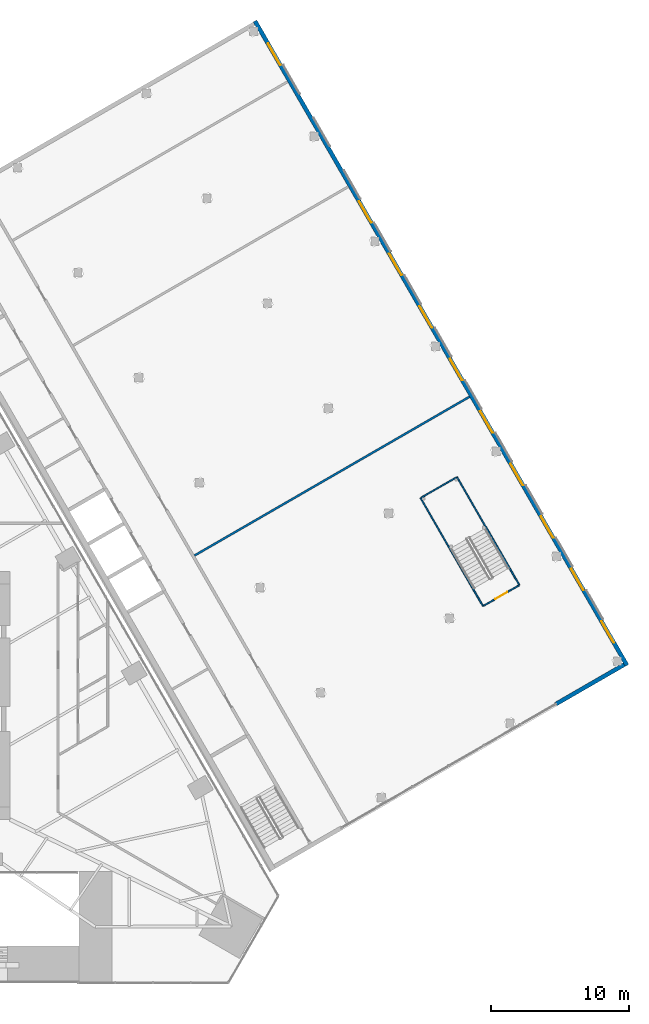
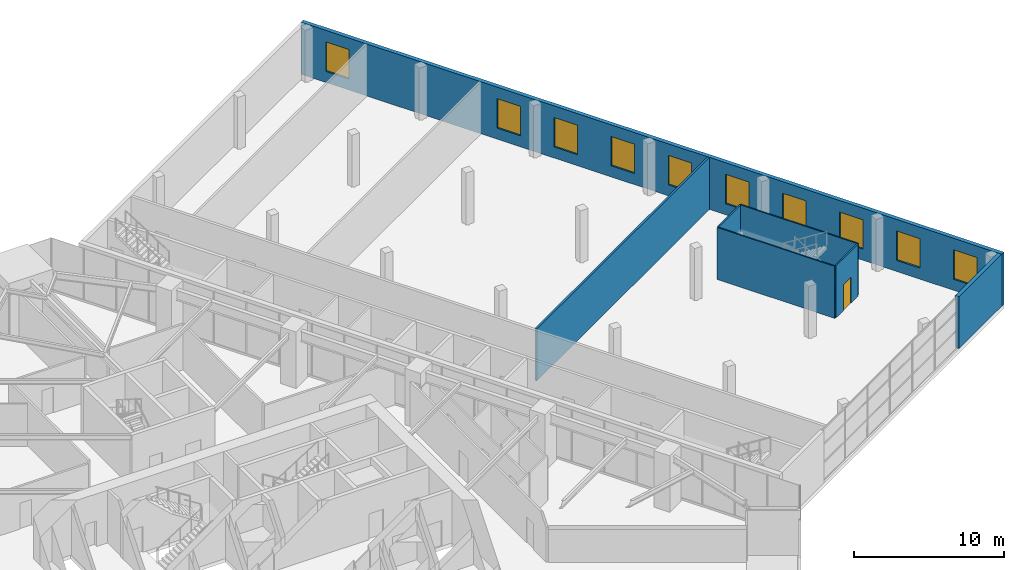
# One storey, part 21 of 29: 10 windows, 7 walls, 1 door, 11 openings.
"""IFC4 building model written with IfcOpenShell, lengths in metres."""

from ifc_helpers import new_model, si_unit, direction, frame, frame_2d, origin, place, context, subcontext, project, spatial, rectangle, extrude, material, layer, layer_set, type_object, element, fill, save


model = new_model("IFC4")

# Units and contexts
model_context = context("Model", 3, precision=1e-05, world=origin(), true_north=direction((0.0, 1.0)))
body_context = subcontext(model_context, "Body", "Model", "MODEL_VIEW")
ifc_project = project(units=[si_unit("LENGTHUNIT", "METRE"), si_unit("AREAUNIT", "SQUARE_METRE"), si_unit("VOLUMEUNIT", "CUBIC_METRE"), si_unit("PLANEANGLEUNIT", "RADIAN"), si_unit("MASSUNIT", "GRAM", prefix="KILO")], contexts=[model_context])

# Site, building, storey
site_placement = place(None, origin())
site = spatial("IfcSite", under=ifc_project, at=site_placement, CompositionType="ELEMENT")
building_placement = place(site_placement, origin())
building = spatial("IfcBuilding", under=site, at=building_placement, Name="Firuza Gate Tower and Library", CompositionType="ELEMENT")
storey_placement = place(building_placement, frame((0.0, 0.0, 17.199951171875)))
storey = spatial("IfcBuildingStorey", under=building, at=storey_placement, Name="L03", CompositionType="ELEMENT", Elevation=17.199951171875)

# Wall, openings, windows
ifc_material_1 = material(Name="Concrete C30/37", Category="concrete")
ifc_layer_1 = layer(ifc_material_1, 0.300048828125)
ifc_layer_set_1 = layer_set([ifc_layer_1], Name="LIB EXTERNAL WALL 300")
wall_type_1 = type_object("IfcWallType", Name="LIB EXTERNAL WALL 300", PredefinedType="SOLIDWALL", material=ifc_layer_set_1)
wall_1_placement = place(storey_placement, frame((132.783935546875, 77.1845703125, 0.0), z_axis=(0.0, 0.0, 1.0), x_axis=(-0.49999992739, 0.866025445706, 0.0)))
wall_1 = element("IfcWall", 1, at=wall_1_placement, inside=storey, type_object=wall_type_1, Name="L03 east wall", PredefinedType="SOLIDWALL", context=body_context, shape_type="SweptSolid", body=[
    extrude(rectangle(XDim=54.0, YDim=0.300048828125, at=frame_2d((27.0, 0.0))), origin(), (0.0, 0.0, 1.0), 4.239990234375),
])
opening_1_placement = place(wall_1_placement, frame((1.89990234375, 0.0, 0.89990234375)))
opening_1 = element("IfcOpeningElement", 2, at=opening_1_placement, cuts=wall_1, Name="Opening LIB-WN1-001", PredefinedType="OPENING", context=body_context, shape_type="SweptSolid", body=[
    extrude(rectangle(XDim=1.800048828125, YDim=2.39990234375, at=frame_2d((0.89990234375, 1.199951171875))), frame((0.0, 0.16015625, 0.0), z_axis=(0.0, -1.0, 0.0), x_axis=(1.0, 0.0, 0.0)), (0.0, 0.0, 1.0), 0.320068359375),
])
opening_2_placement = place(wall_1_placement, frame((6.300048828125, 0.0, 0.89990234375)))
opening_2 = element("IfcOpeningElement", 3, at=opening_2_placement, cuts=wall_1, Name="Opening LIB-WN1-002", PredefinedType="OPENING", context=body_context, shape_type="SweptSolid", body=[
    extrude(rectangle(XDim=1.800048828125, YDim=2.39990234375, at=frame_2d((0.89990234375, 1.199951171875))), frame((0.0, 0.16015625, 0.0), z_axis=(0.0, -1.0, 0.0), x_axis=(1.0, 0.0, 0.0)), (0.0, 0.0, 1.0), 0.320068359375),
])
opening_3_placement = place(wall_1_placement, frame((10.699951171875, 0.0, 0.89990234375)))
opening_3 = element("IfcOpeningElement", 4, at=opening_3_placement, cuts=wall_1, Name="Opening LIB-WN1-003", PredefinedType="OPENING", context=body_context, shape_type="SweptSolid", body=[
    extrude(rectangle(XDim=1.800048828125, YDim=2.39990234375, at=frame_2d((0.89990234375, 1.199951171875))), frame((0.0, 0.16015625, 0.0), z_axis=(0.0, -1.0, 0.0), x_axis=(1.0, 0.0, 0.0)), (0.0, 0.0, 1.0), 0.320068359375),
])
opening_4_placement = place(wall_1_placement, frame((15.10009765625, 0.0, 0.89990234375)))
opening_4 = element("IfcOpeningElement", 5, at=opening_4_placement, cuts=wall_1, Name="Opening LIB-WN1-004", PredefinedType="OPENING", context=body_context, shape_type="SweptSolid", body=[
    extrude(rectangle(XDim=1.800048828125, YDim=2.39990234375, at=frame_2d((0.89990234375, 1.199951171875))), frame((0.0, 0.16015625, 0.0), z_axis=(0.0, -1.0, 0.0), x_axis=(1.0, 0.0, 0.0)), (0.0, 0.0, 1.0), 0.320068359375),
])
opening_5_placement = place(wall_1_placement, frame((19.5, 0.0, 0.89990234375)))
opening_5 = element("IfcOpeningElement", 6, at=opening_5_placement, cuts=wall_1, Name="Opening LIB-WN1-005", PredefinedType="OPENING", context=body_context, shape_type="SweptSolid", body=[
    extrude(rectangle(XDim=1.800048828125, YDim=2.39990234375, at=frame_2d((0.89990234375, 1.199951171875))), frame((0.0, 0.16015625, 0.0), z_axis=(0.0, -1.0, 0.0), x_axis=(1.0, 0.0, 0.0)), (0.0, 0.0, 1.0), 0.320068359375),
])
opening_6_placement = place(wall_1_placement, frame((23.89990234375, 0.0, 0.89990234375)))
opening_6 = element("IfcOpeningElement", 7, at=opening_6_placement, cuts=wall_1, Name="Opening LIB-WN1-006", PredefinedType="OPENING", context=body_context, shape_type="SweptSolid", body=[
    extrude(rectangle(XDim=1.800048828125, YDim=2.39990234375, at=frame_2d((0.89990234375, 1.199951171875))), frame((0.0, 0.16015625, 0.0), z_axis=(0.0, -1.0, 0.0), x_axis=(1.0, 0.0, 0.0)), (0.0, 0.0, 1.0), 0.320068359375),
])
opening_7_placement = place(wall_1_placement, frame((28.300048828125, 0.0, 0.89990234375)))
opening_7 = element("IfcOpeningElement", 8, at=opening_7_placement, cuts=wall_1, Name="Opening LIB-WN1-007", PredefinedType="OPENING", context=body_context, shape_type="SweptSolid", body=[
    extrude(rectangle(XDim=1.800048828125, YDim=2.39990234375, at=frame_2d((0.89990234375, 1.199951171875))), frame((0.0, 0.16015625, 0.0), z_axis=(0.0, -1.0, 0.0), x_axis=(1.0, 0.0, 0.0)), (0.0, 0.0, 1.0), 0.320068359375),
])
opening_8_placement = place(wall_1_placement, frame((32.699951171875, 0.0, 0.89990234375)))
opening_8 = element("IfcOpeningElement", 9, at=opening_8_placement, cuts=wall_1, Name="Opening LIB-WN1-008", PredefinedType="OPENING", context=body_context, shape_type="SweptSolid", body=[
    extrude(rectangle(XDim=1.800048828125, YDim=2.39990234375, at=frame_2d((0.89990234375, 1.199951171875))), frame((0.0, 0.16015625, 0.0), z_axis=(0.0, -1.0, 0.0), x_axis=(1.0, 0.0, 0.0)), (0.0, 0.0, 1.0), 0.320068359375),
])
opening_9_placement = place(wall_1_placement, frame((37.10009765625, 0.0, 0.89990234375)))
opening_9 = element("IfcOpeningElement", 10, at=opening_9_placement, cuts=wall_1, Name="Opening LIB-WN1-009", PredefinedType="OPENING", context=body_context, shape_type="SweptSolid", body=[
    extrude(rectangle(XDim=1.800048828125, YDim=2.39990234375, at=frame_2d((0.89990234375, 1.199951171875))), frame((0.0, 0.16015625, 0.0), z_axis=(0.0, -1.0, 0.0), x_axis=(1.0, 0.0, 0.0)), (0.0, 0.0, 1.0), 0.320068359375),
])
opening_10_placement = place(wall_1_placement, frame((50.300048828125, 0.0, 0.89990234375)))
opening_10 = element("IfcOpeningElement", 11, at=opening_10_placement, cuts=wall_1, Name="Opening LIB-WN1-010", PredefinedType="OPENING", context=body_context, shape_type="SweptSolid", body=[
    extrude(rectangle(XDim=1.800048828125, YDim=2.39990234375, at=frame_2d((0.89990234375, 1.199951171875))), frame((0.0, 0.16015625, 0.0), z_axis=(0.0, -1.0, 0.0), x_axis=(1.0, 0.0, 0.0)), (0.0, 0.0, 1.0), 0.320068359375),
])
ifc_material_2 = material(Name="Ceramic-fritted glass", Category="glass")
window_type = type_object("IfcWindowType", Name="LIB WINDOW 1800X2400", PartitioningType="SINGLE_PANEL", PredefinedType="WINDOW", material=ifc_material_2)
window_1_placement = place(opening_1_placement, origin())
window_1 = element("IfcWindow", 12, at=window_1_placement, inside=storey, type_object=window_type, Name="L03 east window 1a", OverallHeight=2.39990234375, OverallWidth=1.800048828125, PartitioningType="SINGLE_PANEL", PredefinedType="WINDOW", context=body_context, shape_type="SweptSolid", body=[
    extrude(rectangle(XDim=1.800048828125, YDim=2.39990234375, at=frame_2d((0.89990234375, 1.199951171875))), frame((0.0, 0.030029296875, 0.0), z_axis=(0.0, -1.0, 0.0), x_axis=(1.0, 0.0, 0.0)), (0.0, 0.0, 1.0), 0.06005859375),
])
fill(opening_1, window_1)
window_2_placement = place(opening_2_placement, origin())
window_2 = element("IfcWindow", 13, at=window_2_placement, inside=storey, type_object=window_type, Name="L03 east window 1b", OverallHeight=2.39990234375, OverallWidth=1.800048828125, PartitioningType="SINGLE_PANEL", PredefinedType="WINDOW", context=body_context, shape_type="SweptSolid", body=[
    extrude(rectangle(XDim=1.800048828125, YDim=2.39990234375, at=frame_2d((0.89990234375, 1.199951171875))), frame((0.0, 0.030029296875, 0.0), z_axis=(0.0, -1.0, 0.0), x_axis=(1.0, 0.0, 0.0)), (0.0, 0.0, 1.0), 0.06005859375),
])
fill(opening_2, window_2)
window_3_placement = place(opening_3_placement, origin())
window_3 = element("IfcWindow", 14, at=window_3_placement, inside=storey, type_object=window_type, Name="L03 east window 2a", OverallHeight=2.39990234375, OverallWidth=1.800048828125, PartitioningType="SINGLE_PANEL", PredefinedType="WINDOW", context=body_context, shape_type="SweptSolid", body=[
    extrude(rectangle(XDim=1.800048828125, YDim=2.39990234375, at=frame_2d((0.89990234375, 1.199951171875))), frame((0.0, 0.030029296875, 0.0), z_axis=(0.0, -1.0, 0.0), x_axis=(1.0, 0.0, 0.0)), (0.0, 0.0, 1.0), 0.06005859375),
])
fill(opening_3, window_3)
window_4_placement = place(opening_4_placement, origin())
window_4 = element("IfcWindow", 15, at=window_4_placement, inside=storey, type_object=window_type, Name="L03 east window 2b", OverallHeight=2.39990234375, OverallWidth=1.800048828125, PartitioningType="SINGLE_PANEL", PredefinedType="WINDOW", context=body_context, shape_type="SweptSolid", body=[
    extrude(rectangle(XDim=1.800048828125, YDim=2.39990234375, at=frame_2d((0.89990234375, 1.199951171875))), frame((0.0, 0.030029296875, 0.0), z_axis=(0.0, -1.0, 0.0), x_axis=(1.0, 0.0, 0.0)), (0.0, 0.0, 1.0), 0.06005859375),
])
fill(opening_4, window_4)
window_5_placement = place(opening_5_placement, origin())
window_5 = element("IfcWindow", 16, at=window_5_placement, inside=storey, type_object=window_type, Name="L03 east window 3a", OverallHeight=2.39990234375, OverallWidth=1.800048828125, PartitioningType="SINGLE_PANEL", PredefinedType="WINDOW", context=body_context, shape_type="SweptSolid", body=[
    extrude(rectangle(XDim=1.800048828125, YDim=2.39990234375, at=frame_2d((0.89990234375, 1.199951171875))), frame((0.0, 0.030029296875, 0.0), z_axis=(0.0, -1.0, 0.0), x_axis=(1.0, 0.0, 0.0)), (0.0, 0.0, 1.0), 0.06005859375),
])
fill(opening_5, window_5)
window_6_placement = place(opening_6_placement, origin())
window_6 = element("IfcWindow", 17, at=window_6_placement, inside=storey, type_object=window_type, Name="L03 east window 3b", OverallHeight=2.39990234375, OverallWidth=1.800048828125, PartitioningType="SINGLE_PANEL", PredefinedType="WINDOW", context=body_context, shape_type="SweptSolid", body=[
    extrude(rectangle(XDim=1.800048828125, YDim=2.39990234375, at=frame_2d((0.89990234375, 1.199951171875))), frame((0.0, 0.030029296875, 0.0), z_axis=(0.0, -1.0, 0.0), x_axis=(1.0, 0.0, 0.0)), (0.0, 0.0, 1.0), 0.06005859375),
])
fill(opening_6, window_6)
window_7_placement = place(opening_7_placement, origin())
window_7 = element("IfcWindow", 18, at=window_7_placement, inside=storey, type_object=window_type, Name="L03 east window 4a", OverallHeight=2.39990234375, OverallWidth=1.800048828125, PartitioningType="SINGLE_PANEL", PredefinedType="WINDOW", context=body_context, shape_type="SweptSolid", body=[
    extrude(rectangle(XDim=1.800048828125, YDim=2.39990234375, at=frame_2d((0.89990234375, 1.199951171875))), frame((0.0, 0.030029296875, 0.0), z_axis=(0.0, -1.0, 0.0), x_axis=(1.0, 0.0, 0.0)), (0.0, 0.0, 1.0), 0.06005859375),
])
fill(opening_7, window_7)
window_8_placement = place(opening_8_placement, origin())
window_8 = element("IfcWindow", 19, at=window_8_placement, inside=storey, type_object=window_type, Name="L03 east window 4b", OverallHeight=2.39990234375, OverallWidth=1.800048828125, PartitioningType="SINGLE_PANEL", PredefinedType="WINDOW", context=body_context, shape_type="SweptSolid", body=[
    extrude(rectangle(XDim=1.800048828125, YDim=2.39990234375, at=frame_2d((0.89990234375, 1.199951171875))), frame((0.0, 0.030029296875, 0.0), z_axis=(0.0, -1.0, 0.0), x_axis=(1.0, 0.0, 0.0)), (0.0, 0.0, 1.0), 0.06005859375),
])
fill(opening_8, window_8)
window_9_placement = place(opening_9_placement, origin())
window_9 = element("IfcWindow", 20, at=window_9_placement, inside=storey, type_object=window_type, Name="L03 east window 5a", OverallHeight=2.39990234375, OverallWidth=1.800048828125, PartitioningType="SINGLE_PANEL", PredefinedType="WINDOW", context=body_context, shape_type="SweptSolid", body=[
    extrude(rectangle(XDim=1.800048828125, YDim=2.39990234375, at=frame_2d((0.89990234375, 1.199951171875))), frame((0.0, 0.030029296875, 0.0), z_axis=(0.0, -1.0, 0.0), x_axis=(1.0, 0.0, 0.0)), (0.0, 0.0, 1.0), 0.06005859375),
])
fill(opening_9, window_9)
window_10_placement = place(opening_10_placement, origin())
window_10 = element("IfcWindow", 21, at=window_10_placement, inside=storey, type_object=window_type, Name="L03 east window 6b", OverallHeight=2.39990234375, OverallWidth=1.800048828125, PartitioningType="SINGLE_PANEL", PredefinedType="WINDOW", context=body_context, shape_type="SweptSolid", body=[
    extrude(rectangle(XDim=1.800048828125, YDim=2.39990234375, at=frame_2d((0.89990234375, 1.199951171875))), frame((0.0, 0.030029296875, 0.0), z_axis=(0.0, -1.0, 0.0), x_axis=(1.0, 0.0, 0.0)), (0.0, 0.0, 1.0), 0.06005859375),
])
fill(opening_10, window_10)

# Walls
wall_2_placement = place(storey_placement, frame((127.642578125, 74.389404296875, 0.0), z_axis=(0.0, 0.0, 1.0), x_axis=(0.866025820012, 0.499999279071, 0.0)))
element("IfcWall", 22, at=wall_2_placement, inside=storey, type_object=wall_type_1, Name="L03 south wall S2", PredefinedType="SOLIDWALL", context=body_context, shape_type="SweptSolid", body=[
    extrude(rectangle(XDim=5.7001953125, YDim=0.300048828125, at=frame_2d((2.85009765625, 0.0))), origin(), (0.0, 0.0, 1.0), 4.239990234375),
])
ifc_material_3 = material(Name="Laminated glass", Category="glass")
ifc_layer_2 = layer(ifc_material_3, 0.10009765625)
ifc_layer_set_2 = layer_set([ifc_layer_2], Name="LIB GLAZED STAIR SCREEN 100")
wall_type_2 = type_object("IfcWallType", Name="LIB GLAZED STAIR SCREEN 100", PredefinedType="PARTITIONING", material=ifc_layer_set_2)
for number, where, z_axis, x_axis, name in (
    (23, (122.333251953125, 81.485595703125, 0.0), (0.0, 0.0, 1.0), (-0.500002365587, 0.866024038008, 0.0), "L03 glass wall 18"),
    (24, (124.974609375, 83.010498046875, 0.0), (0.0, 0.0, 1.0), (-0.500002365587, 0.866024038008, 0.0), "L03 glass wall 19"),
):
    element("IfcWall", number, at=place(storey_placement, frame(where, z_axis=z_axis, x_axis=x_axis)), inside=storey, type_object=wall_type_2, Name=name, PredefinedType="PARTITIONING", context=body_context, shape_type="SweptSolid", body=[
        extrude(rectangle(XDim=9.06005859375, YDim=0.10009765625, at=frame_2d((4.530029296875, 0.0))), origin(), (0.0, 0.0, 1.0), 4.239990234375),
    ])

# Wall, opening, door
wall_3_placement = place(storey_placement, frame((122.376708984375, 81.510498046875, 0.0), z_axis=(0.0, 0.0, 1.0), x_axis=(0.866003658127, 0.500037662692, 0.0)))
wall_3 = element("IfcWall", 25, at=wall_3_placement, inside=storey, type_object=wall_type_2, Name="L03 glass wall 20", PredefinedType="PARTITIONING", context=body_context, shape_type="SweptSolid", body=[
    extrude(rectangle(XDim=2.949951171875, YDim=0.10009765625, at=frame_2d((1.47509765625, 0.0))), origin(), (0.0, 0.0, 1.0), 4.239990234375),
])
opening_11_placement = place(wall_3_placement, frame((0.97509765625, 0.0, 0.0)))
opening_11 = element("IfcOpeningElement", 26, at=opening_11_placement, cuts=wall_3, Name="Opening LIB-D2-002", PredefinedType="OPENING", context=body_context, shape_type="SweptSolid", body=[
    extrude(rectangle(XDim=1.0, YDim=2.10009765625, at=frame_2d((0.5, 1.050048828125))), frame((0.0, 0.06005859375, 0.0), z_axis=(0.0, -1.0, 0.0), x_axis=(1.0, 0.0, 0.0)), (0.0, 0.0, 1.0), 0.1201171875),
])
ifc_material_4 = material(Name="Timber door leaf", Category="wood")
door_type = type_object("IfcDoorType", Name="LIB DOOR 1000", OperationType="NOTDEFINED", PredefinedType="DOOR", material=ifc_material_4)
door_placement = place(opening_11_placement, origin())
door = element("IfcDoor", 27, at=door_placement, inside=storey, type_object=door_type, Name="L03 door 12", OperationType="SINGLE_SWING_RIGHT", OverallHeight=2.10009765625, OverallWidth=1.0, PredefinedType="DOOR", context=body_context, shape_type="SweptSolid", body=[
    extrude(rectangle(XDim=1.0, YDim=2.10009765625, at=frame_2d((0.5, 1.050048828125))), frame((0.0, 0.02490234375, 0.0), z_axis=(0.0, -1.0, 0.0), x_axis=(1.0, 0.0, 0.0)), (0.0, 0.0, 1.0), 0.050048828125),
])
fill(opening_11, door)

# Walls
wall_4_placement = place(storey_placement, frame((117.8466796875, 89.356689453125, 0.0), z_axis=(0.0, 0.0, 1.0), x_axis=(0.866003658127, 0.500037662692, 0.0)))
element("IfcWall", 28, at=wall_4_placement, inside=storey, type_object=wall_type_2, Name="L03 glass wall 21", PredefinedType="PARTITIONING", context=body_context, shape_type="SweptSolid", body=[
    extrude(rectangle(XDim=2.949951171875, YDim=0.10009765625, at=frame_2d((1.47509765625, 0.0))), origin(), (0.0, 0.0, 1.0), 4.239990234375),
])
ifc_material_5 = material(Name="Gypsum board on steel studs", Category="steel")
ifc_layer_3 = layer(ifc_material_5, 0.14990234375)
ifc_layer_set_3 = layer_set([ifc_layer_3], Name="LIB PARTITION 150")
wall_type_3 = type_object("IfcWallType", Name="LIB PARTITION 150", PredefinedType="PARTITIONING", material=ifc_layer_set_3)
wall_5_placement = place(storey_placement, frame((101.39208984375, 85.15673828125, 0.0), z_axis=(0.0, 0.0, 1.0), x_axis=(0.866022961126, 0.500004230785, 0.0)))
element("IfcWall", 29, at=wall_5_placement, inside=storey, type_object=wall_type_3, Name="L03 part wall 17", PredefinedType="PARTITIONING", context=body_context, shape_type="SweptSolid", body=[
    extrude(rectangle(XDim=23.050048828125, YDim=0.14990234375, at=frame_2d((11.52490234375, 0.0))), origin(), (0.0, 0.0, 1.0), 4.239990234375),
])

save(model, "model.ifc")
